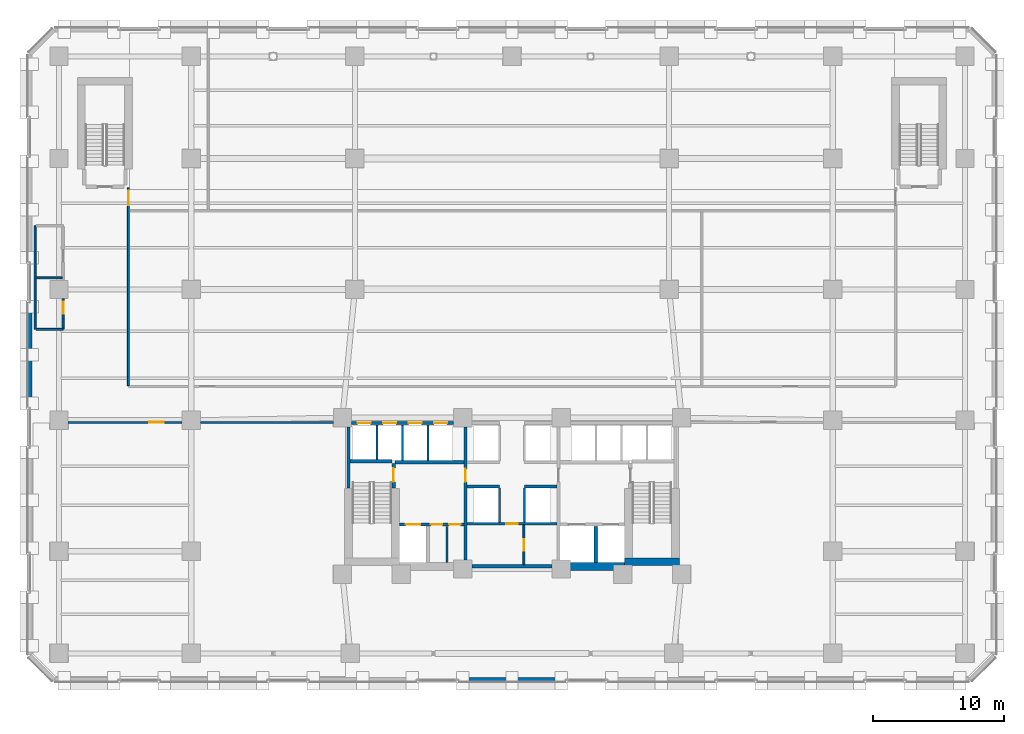
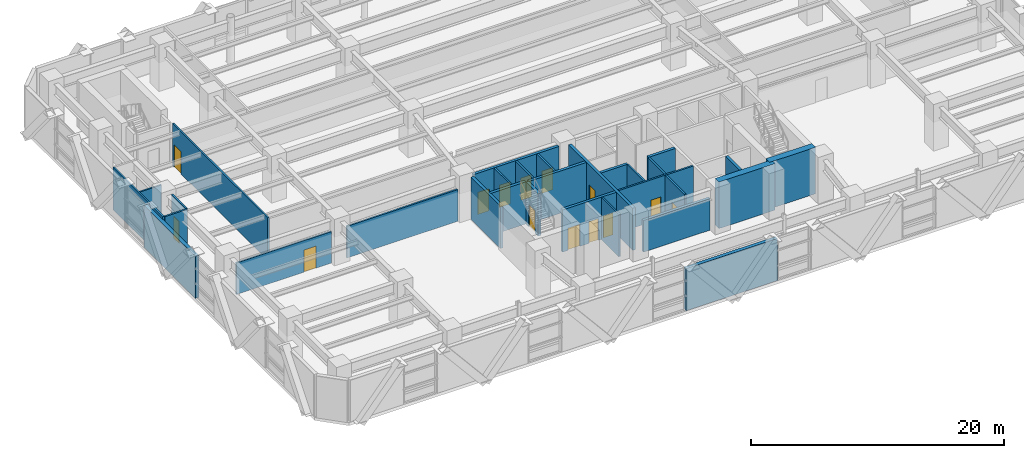
# One storey, part 14 of 26: 30 walls, 14 doors, 14 openings.
"""IFC4 building model written with IfcOpenShell, lengths in metres."""

from ifc_helpers import new_model, si_unit, direction, frame, frame_2d, origin, place, context, subcontext, project, spatial, rectangle, extrude, material, layer, layer_set, type_object, element, fill, save


model = new_model("IFC4")

# Units and contexts
model_context = context("Model", 3, precision=1e-05, world=origin(), true_north=direction((0.0, 1.0)))
body_context = subcontext(model_context, "Body", "Model", "MODEL_VIEW")
ifc_project = project(units=[si_unit("LENGTHUNIT", "METRE"), si_unit("AREAUNIT", "SQUARE_METRE"), si_unit("VOLUMEUNIT", "CUBIC_METRE"), si_unit("PLANEANGLEUNIT", "RADIAN"), si_unit("MASSUNIT", "GRAM", prefix="KILO")], contexts=[model_context])

# Site, building, storey
site_placement = place(None, origin())
site = spatial("IfcSite", under=ifc_project, at=site_placement, CompositionType="ELEMENT")
building_placement = place(site_placement, origin())
building = spatial("IfcBuilding", under=site, at=building_placement, Name="Quenlor Broadcast Tower", CompositionType="ELEMENT")
storey_placement = place(building_placement, frame((0.0, 0.0, 18.5)))
storey = spatial("IfcBuildingStorey", under=building, at=storey_placement, Name="L04", CompositionType="ELEMENT", Elevation=18.5)

# Wall, opening, door
ifc_material_1 = material(Name="Acoustic Double Stud Gypsum Partition", Category="other")
ifc_layer_1 = layer(ifc_material_1, 0.14990234375)
ifc_layer_set_1 = layer_set([ifc_layer_1], Name="Broadcast Studio Acoustic Partition 150")
wall_type_1 = type_object("IfcWallType", Name="Broadcast Studio Acoustic Partition 150", PredefinedType="PARTITIONING", material=ifc_layer_set_1)
wall_1_placement = place(storey_placement, frame((0.909912109375, -16.02001953125, 0.0), z_axis=(0.0, 0.0, 1.0), x_axis=(0.0, 1.0, 0.0)))
wall_1 = element("IfcWall", 1, at=wall_1_placement, inside=storey, type_object=wall_type_1, Name="L04 Interior Wall CW-CSV-E2", PredefinedType="PARTITIONING", context=body_context, shape_type="SweptSolid", body=[
    extrude(rectangle(XDim=3.0380859375, YDim=0.14990234375, at=frame_2d((1.51904296875, 0.0))), origin(), (0.0, 0.0, 1.0), 4.080078125),
])
opening_1_placement = place(wall_1_placement, frame((1.050048828125, 0.0, 0.0)))
opening_1 = element("IfcOpeningElement", 2, at=opening_1_placement, cuts=wall_1, Name="Opening ID-4", PredefinedType="OPENING", context=body_context, shape_type="SweptSolid", body=[
    extrude(rectangle(XDim=0.8798828125, YDim=2.1201171875, at=frame_2d((0.43994140625, 1.06005859375))), frame((0.0, 0.0849609375, 0.0), z_axis=(0.0, -1.0, 0.0), x_axis=(1.0, 0.0, 0.0)), (0.0, 0.0, 1.0), 0.169921875),
])
ifc_material_2 = material(Name="Solid Core Timber Oak", Category="wood")
door_type_1 = type_object("IfcDoorType", Name="Service Closet Timber Door 880x2120", OperationType="NOTDEFINED", PredefinedType="DOOR", material=ifc_material_2)
door_1_placement = place(opening_1_placement, origin())
door_1 = element("IfcDoor", 3, at=door_1_placement, inside=storey, type_object=door_type_1, Name="L04 Door DR-CSV2", OperationType="SINGLE_SWING_RIGHT", OverallHeight=2.1201171875, OverallWidth=0.8798828125, PredefinedType="DOOR", context=body_context, shape_type="SweptSolid", body=[
    extrude(rectangle(XDim=0.8798828125, YDim=2.1201171875, at=frame_2d((0.43994140625, 1.06005859375))), frame((0.0, 0.02490234375, 0.0), z_axis=(0.0, -1.0, 0.0), x_axis=(1.0, 0.0, 0.0)), (0.0, 0.0, 1.0), 0.050048828125),
])
fill(opening_1, door_1)

wall_2_placement = place(storey_placement, frame((-29.300048828125, -2.337890625, 0.0), z_axis=(0.0, 0.0, 1.0), x_axis=(0.0, 1.0, 0.0)))
wall_2 = element("IfcWall", 4, at=wall_2_placement, inside=storey, type_object=wall_type_1, Name="L04 Interior Wall PW-PD-LW", PredefinedType="PARTITIONING", context=body_context, shape_type="SweptSolid", body=[
    extrude(rectangle(XDim=15.087890625, YDim=0.14990234375, at=frame_2d((7.5439453125, 0.0))), origin(), (0.0, 0.0, 1.0), 4.080078125),
])
opening_2_placement = place(wall_2_placement, frame((13.758056640625, 0.0, 0.0)))
opening_2 = element("IfcOpeningElement", 5, at=opening_2_placement, cuts=wall_2, Name="Opening ID-2", PredefinedType="OPENING", context=body_context, shape_type="SweptSolid", body=[
    extrude(rectangle(XDim=1.10009765625, YDim=2.14990234375, at=frame_2d((0.550048828125, 1.074951171875))), frame((0.0, 0.0849609375, 0.0), z_axis=(0.0, -1.0, 0.0), x_axis=(1.0, 0.0, 0.0)), (0.0, 0.0, 1.0), 0.169921875),
])
ifc_material_3 = material(Name="Acoustic Laminated Timber Oak", Category="wood")
door_type_2 = type_object("IfcDoorType", Name="Wide Studio Acoustic Timber Door 1100x2150", OperationType="NOTDEFINED", PredefinedType="DOOR", material=ifc_material_3)
door_2_placement = place(opening_2_placement, origin())
door_2 = element("IfcDoor", 6, at=door_2_placement, inside=storey, type_object=door_type_2, Name="L04 Door DR-PD5", OperationType="SINGLE_SWING_LEFT", OverallHeight=2.14990234375, OverallWidth=1.10009765625, PredefinedType="DOOR", context=body_context, shape_type="SweptSolid", body=[
    extrude(rectangle(XDim=1.10009765625, YDim=2.14990234375, at=frame_2d((0.550048828125, 1.074951171875))), frame((0.0, 0.02490234375, 0.0), z_axis=(0.0, -1.0, 0.0), x_axis=(1.0, 0.0, 0.0)), (0.0, 0.0, 1.0), 0.050048828125),
])
fill(opening_2, door_2)

# Wall
wall_3_placement = place(storey_placement, frame((-36.419921875, 1.949951171875, 0.0), z_axis=(0.0, 0.0, 1.0), x_axis=(0.0, 1.0, 0.0)))
element("IfcWall", 7, at=wall_3_placement, inside=storey, type_object=wall_type_1, Name="L04 Interior Wall PW-PD-WCW", PredefinedType="PARTITIONING", context=body_context, shape_type="SweptSolid", body=[
    extrude(rectangle(XDim=7.900146484375, YDim=0.14990234375, at=frame_2d((3.9501953125, 0.0))), origin(), (0.0, 0.0, 1.0), 4.080078125),
])

# Wall, opening, door
wall_4_placement = place(storey_placement, frame((-34.280029296875, 2.010009765625, 0.0), z_axis=(0.0, 0.0, 1.0), x_axis=(0.0, 1.0, 0.0)))
wall_4 = element("IfcWall", 8, at=wall_4_placement, inside=storey, type_object=wall_type_1, Name="L04 Interior Wall PW-PD-WCE", PredefinedType="PARTITIONING", context=body_context, shape_type="SweptSolid", body=[
    extrude(rectangle(XDim=2.2880859375, YDim=0.14990234375, at=frame_2d((1.14404296875, 0.0))), origin(), (0.0, 0.0, 1.0), 4.080078125),
])
opening_3_placement = place(wall_4_placement, frame((1.139892578125, 0.0, 0.0)))
opening_3 = element("IfcOpeningElement", 9, at=opening_3_placement, cuts=wall_4, Name="Opening ID-3", PredefinedType="OPENING", context=body_context, shape_type="SweptSolid", body=[
    extrude(rectangle(XDim=0.89990234375, YDim=2.1201171875, at=frame_2d((0.449951171875, 1.06005859375))), frame((0.0, 0.0849609375, 0.0), z_axis=(0.0, -1.0, 0.0), x_axis=(1.0, 0.0, 0.0)), (0.0, 0.0, 1.0), 0.169921875),
])
ifc_material_4 = material(Name="Moisture Resistant Timber Oak", Category="wood")
door_type_3 = type_object("IfcDoorType", Name="Washroom Privacy Door 900x2120", OperationType="NOTDEFINED", PredefinedType="DOOR", material=ifc_material_4)
door_3_placement = place(opening_3_placement, origin())
door_3 = element("IfcDoor", 10, at=door_3_placement, inside=storey, type_object=door_type_3, Name="L04 Door DR-PD-MWC", OperationType="SINGLE_SWING_LEFT", OverallHeight=2.1201171875, OverallWidth=0.89990234375, PredefinedType="DOOR", context=body_context, shape_type="SweptSolid", body=[
    extrude(rectangle(XDim=0.89990234375, YDim=2.1201171875, at=frame_2d((0.449951171875, 1.06005859375))), frame((0.0, 0.02490234375, 0.0), z_axis=(0.0, -1.0, 0.0), x_axis=(1.0, 0.0, 0.0)), (0.0, 0.0, 1.0), 0.050048828125),
])
fill(opening_3, door_3)

# Walls
wall_5_placement = place(storey_placement, frame((-36.343017578125, 5.8798828125, 0.0), z_axis=(0.0, 0.0, 1.0), x_axis=(1.0, 0.0, 0.0)))
element("IfcWall", 11, at=wall_5_placement, inside=storey, type_object=wall_type_1, Name="L04 Interior Wall PW-PD-WCM", PredefinedType="PARTITIONING", context=body_context, shape_type="SweptSolid", body=[
    extrude(rectangle(XDim=1.986083984375, YDim=0.14990234375, at=frame_2d((0.9931640625, 0.0))), origin(), (0.0, 0.0, 1.0), 4.080078125),
])
wall_6_placement = place(storey_placement, frame((-36.343017578125, 1.949951171875, 0.0), z_axis=(0.0, 0.0, 1.0), x_axis=(1.0, 0.0, 0.0)))
element("IfcWall", 12, at=wall_6_placement, inside=storey, type_object=wall_type_1, Name="L04 Interior Wall PW-PD-WCS", PredefinedType="PARTITIONING", context=body_context, shape_type="SweptSolid", body=[
    extrude(rectangle(XDim=2.06298828125, YDim=0.14990234375, at=frame_2d((1.031494140625, 0.0))), origin(), (0.0, 0.0, 1.0), 4.080078125),
])
ifc_material_5 = material(Name="Concrete C65/80", Category="concrete")
ifc_layer_2 = layer(ifc_material_5, 0.60009765625)
ifc_layer_set_2 = layer_set([ifc_layer_2], Name="Core Concrete C65/80 Shear Wall 600")
wall_type_2 = type_object("IfcWallType", Name="Core Concrete C65/80 Shear Wall 600", PredefinedType="SHEAR", material=ifc_layer_set_2)
wall_7_placement = place(storey_placement, frame((3.75, -16.14990234375, 0.0), z_axis=(0.0, 0.0, 1.0), x_axis=(1.0, 0.0, 0.0)))
element("IfcWall", 13, at=wall_7_placement, inside=storey, type_object=wall_type_2, Name="L04 Core Shear Wall WS-E1", PredefinedType="SHEAR", context=body_context, shape_type="SweptSolid", body=[
    extrude(rectangle(XDim=5.14990234375, YDim=0.60009765625, at=frame_2d((2.574951171875, 0.0))), origin(), (0.0, 0.0, 1.0), 4.5),
])
wall_8_placement = place(storey_placement, frame((8.60009765625, -15.800048828125, 0.0), z_axis=(0.0, 0.0, 1.0), x_axis=(1.0, 0.0, 0.0)))
element("IfcWall", 14, at=wall_8_placement, inside=storey, type_object=wall_type_2, Name="L04 Core Shear Wall WS-E2", PredefinedType="SHEAR", context=body_context, shape_type="SweptSolid", body=[
    extrude(rectangle(XDim=4.199951171875, YDim=0.60009765625, at=frame_2d((2.10009765625, 0.0))), origin(), (0.0, 0.0, 1.0), 4.5),
])

# Wall, opening, door
ifc_material_6 = material(Name="Concrete C40/50", Category="concrete")
ifc_layer_3 = layer(ifc_material_6, 0.25)
ifc_layer_set_3 = layer_set([ifc_layer_3], Name="Fire Rated Concrete C40/50 Core Wall 250")
wall_type_3 = type_object("IfcWallType", Name="Fire Rated Concrete C40/50 Core Wall 250", PredefinedType="PARTITIONING", material=ifc_layer_set_3)
wall_9_placement = place(storey_placement, frame((-9.0400390625, -10.179931640625, 0.0), z_axis=(0.0, 0.0, 1.0), x_axis=(0.0, 1.0, 0.0)))
wall_9 = element("IfcWall", 15, at=wall_9_placement, inside=storey, type_object=wall_type_3, Name="L04 Interior Wall CW-ST1-DR", PredefinedType="PARTITIONING", context=body_context, shape_type="SweptSolid", body=[
    extrude(rectangle(XDim=1.89990234375, YDim=0.25, at=frame_2d((0.949951171875, 0.0))), origin(), (0.0, 0.0, 1.0), 4.080078125),
])
opening_4_placement = place(wall_9_placement, frame((0.47998046875, 0.0, 0.0)))
opening_4 = element("IfcOpeningElement", 16, at=opening_4_placement, cuts=wall_9, Name="Opening FD-1", PredefinedType="OPENING", context=body_context, shape_type="SweptSolid", body=[
    extrude(rectangle(XDim=1.050048828125, YDim=2.14990234375, at=frame_2d((0.52490234375, 1.074951171875))), frame((0.0, 0.135009765625, 0.0), z_axis=(0.0, -1.0, 0.0), x_axis=(1.0, 0.0, 0.0)), (0.0, 0.0, 1.0), 0.27001953125),
])
ifc_material_7 = material(Name="Fire Rated Steel Door Leaf", Category="steel")
door_type_4 = type_object("IfcDoorType", Name="Fire Isolated Stair Door 1050x2150", OperationType="NOTDEFINED", PredefinedType="DOOR", material=ifc_material_7)
door_4_placement = place(opening_4_placement, origin())
door_4 = element("IfcDoor", 17, at=door_4_placement, inside=storey, type_object=door_type_4, Name="L04 Door DR-ST1", OperationType="SINGLE_SWING_LEFT", OverallHeight=2.14990234375, OverallWidth=1.050048828125, PredefinedType="DOOR", context=body_context, shape_type="SweptSolid", body=[
    extrude(rectangle(XDim=1.050048828125, YDim=2.14990234375, at=frame_2d((0.52490234375, 1.074951171875))), frame((0.0, 0.02490234375, 0.0), z_axis=(0.0, -1.0, 0.0), x_axis=(1.0, 0.0, 0.0)), (0.0, 0.0, 1.0), 0.050048828125),
])
fill(opening_4, door_4)

# Walls
wall_10_placement = place(storey_placement, frame((-12.3798828125, -8.1201171875, 0.0), z_axis=(0.0, 0.0, 1.0), x_axis=(1.0, 0.0, 0.0)))
element("IfcWall", 18, at=wall_10_placement, inside=storey, type_object=wall_type_3, Name="L04 Interior Wall CW-ST1-N", PredefinedType="PARTITIONING", context=body_context, shape_type="SweptSolid", body=[
    extrude(rectangle(XDim=3.219970703125, YDim=0.25, at=frame_2d((1.60986328125, 0.0))), origin(), (0.0, 0.0, 1.0), 4.080078125),
])
wall_11_placement = place(storey_placement, frame((-12.47998046875, -10.179931640625, 0.0), z_axis=(0.0, 0.0, 1.0), x_axis=(0.0, 1.0, 0.0)))
element("IfcWall", 19, at=wall_11_placement, inside=storey, type_object=wall_type_3, Name="L04 Interior Wall CW-ST1-W2", PredefinedType="PARTITIONING", context=body_context, shape_type="SweptSolid", body=[
    extrude(rectangle(XDim=4.677978515625, YDim=0.25, at=frame_2d((2.3388671875, 0.0))), origin(), (0.0, 0.0, 1.0), 4.080078125),
])

# Wall, openings, doors
wall_12_placement = place(storey_placement, frame((-8.597900390625, -12.949951171875, 0.0), z_axis=(0.0, 0.0, 1.0), x_axis=(1.0, 0.0, 0.0)))
wall_12 = element("IfcWall", 20, at=wall_12_placement, inside=storey, type_object=wall_type_3, Name="L04 Interior Wall CW-FFW-S", PredefinedType="PARTITIONING", context=body_context, shape_type="SweptSolid", body=[
    extrude(rectangle(XDim=4.91796875, YDim=0.25, at=frame_2d((2.458984375, 0.0))), origin(), (0.0, 0.0, 1.0), 4.080078125),
])
opening_5_placement = place(wall_12_placement, frame((0.498046875, 0.0, 0.0)))
opening_5 = element("IfcOpeningElement", 21, at=opening_5_placement, cuts=wall_12, Name="Opening LD-FFL-1", PredefinedType="OPENING", context=body_context, shape_type="SweptSolid", body=[
    extrude(rectangle(XDim=1.10009765625, YDim=2.14990234375, at=frame_2d((0.550048828125, 1.074951171875))), frame((0.0, 0.135009765625, 0.0), z_axis=(0.0, -1.0, 0.0), x_axis=(1.0, 0.0, 0.0)), (0.0, 0.0, 1.0), 0.27001953125),
])
opening_6_placement = place(wall_12_placement, frame((2.39794921875, 0.0, 0.0)))
opening_6 = element("IfcOpeningElement", 22, at=opening_6_placement, cuts=wall_12, Name="Opening TD-1", PredefinedType="OPENING", context=body_context, shape_type="SweptSolid", body=[
    extrude(rectangle(XDim=0.8798828125, YDim=2.10009765625, at=frame_2d((0.43994140625, 1.050048828125))), frame((0.0, 0.135009765625, 0.0), z_axis=(0.0, -1.0, 0.0), x_axis=(1.0, 0.0, 0.0)), (0.0, 0.0, 1.0), 0.27001953125),
])
opening_7_placement = place(wall_12_placement, frame((3.798095703125, 0.0, 0.0)))
opening_7 = element("IfcOpeningElement", 23, at=opening_7_placement, cuts=wall_12, Name="Opening TD-1", PredefinedType="OPENING", context=body_context, shape_type="SweptSolid", body=[
    extrude(rectangle(XDim=0.8798828125, YDim=2.10009765625, at=frame_2d((0.43994140625, 1.050048828125))), frame((0.0, 0.135009765625, 0.0), z_axis=(0.0, -1.0, 0.0), x_axis=(1.0, 0.0, 0.0)), (0.0, 0.0, 1.0), 0.27001953125),
])
ifc_material_8 = material(Name="Brushed Stainless Steel", Category="steel")
door_type_5 = type_object("IfcDoorType", Name="Emergency Lift Sliding Landing Door 1100x2150", OperationType="NOTDEFINED", PredefinedType="DOOR", material=ifc_material_8)
door_5_placement = place(opening_5_placement, origin())
door_5 = element("IfcDoor", 24, at=door_5_placement, inside=storey, type_object=door_type_5, Name="L04 Door LD-FFL-1", OperationType="SLIDING_TO_LEFT", OverallHeight=2.14990234375, OverallWidth=1.10009765625, PredefinedType="DOOR", context=body_context, shape_type="SweptSolid", body=[
    extrude(rectangle(XDim=1.10009765625, YDim=2.14990234375, at=frame_2d((0.550048828125, 1.074951171875))), frame((0.0, 0.02490234375, 0.0), z_axis=(0.0, -1.0, 0.0), x_axis=(1.0, 0.0, 0.0)), (0.0, 0.0, 1.0), 0.050048828125),
])
fill(opening_5, door_5)
ifc_material_9 = material(Name="Fire Rated Steel Access Panel", Category="steel")
door_type_6 = type_object("IfcDoorType", Name="Riser Shaft Rated Access Trapdoor 880x2100", OperationType="NOTDEFINED", PredefinedType="TRAPDOOR", material=ifc_material_9)
door_6_placement = place(opening_6_placement, origin())
door_6 = element("IfcDoor", 25, at=door_6_placement, inside=storey, type_object=door_type_6, Name="L04 Door DR-ELR", OperationType="SINGLE_SWING_LEFT", OverallHeight=2.10009765625, OverallWidth=0.8798828125, PredefinedType="TRAPDOOR", context=body_context, shape_type="SweptSolid", body=[
    extrude(rectangle(XDim=0.8798828125, YDim=2.10009765625, at=frame_2d((0.43994140625, 1.050048828125))), frame((0.0, 0.02490234375, 0.0), z_axis=(0.0, -1.0, 0.0), x_axis=(1.0, 0.0, 0.0)), (0.0, 0.0, 1.0), 0.050048828125),
])
fill(opening_6, door_6)
door_7_placement = place(opening_7_placement, origin())
door_7 = element("IfcDoor", 26, at=door_7_placement, inside=storey, type_object=door_type_6, Name="L04 Door DR-CMR", OperationType="SINGLE_SWING_RIGHT", OverallHeight=2.10009765625, OverallWidth=0.8798828125, PredefinedType="TRAPDOOR", context=body_context, shape_type="SweptSolid", body=[
    extrude(rectangle(XDim=0.8798828125, YDim=2.10009765625, at=frame_2d((0.43994140625, 1.050048828125))), frame((0.0, 0.02490234375, 0.0), z_axis=(0.0, -1.0, 0.0), x_axis=(1.0, 0.0, 0.0)), (0.0, 0.0, 1.0), 0.050048828125),
])
fill(opening_7, door_7)

# Walls
wall_13_placement = place(storey_placement, frame((6.39990234375, -15.847900390625, 0.0), z_axis=(0.0, 0.0, 1.0), x_axis=(0.0, 1.0, 0.0)))
element("IfcWall", 27, at=wall_13_placement, inside=storey, type_object=wall_type_3, Name="L04 Interior Wall CW-SV1-E", PredefinedType="PARTITIONING", context=body_context, shape_type="SweptSolid", body=[
    extrude(rectangle(XDim=2.7578125, YDim=0.25, at=frame_2d((1.37890625, 0.0))), origin(), (0.0, 0.0, 1.0), 4.080078125),
])
wall_14_placement = place(storey_placement, frame((-8.919921875, -8.199951171875, 0.0), z_axis=(0.0, 0.0, 1.0), x_axis=(1.0, 0.0, 0.0)))
element("IfcWall", 28, at=wall_14_placement, inside=storey, type_object=wall_type_3, Name="L04 Interior Wall CW-FFW-N", PredefinedType="PARTITIONING", context=body_context, shape_type="SweptSolid", body=[
    extrude(rectangle(XDim=5.239990234375, YDim=0.25, at=frame_2d((2.6201171875, 0.0))), origin(), (0.0, 0.0, 1.0), 4.080078125),
])

# Wall, opening, door
wall_15_placement = place(storey_placement, frame((-3.550048828125, -15.64794921875, 0.0), z_axis=(0.0, 0.0, 1.0), x_axis=(0.0, 1.0, 0.0)))
wall_15 = element("IfcWall", 29, at=wall_15_placement, inside=storey, type_object=wall_type_3, Name="L04 Interior Wall CW-FFW-E", PredefinedType="PARTITIONING", context=body_context, shape_type="SweptSolid", body=[
    extrude(rectangle(XDim=10.14599609375, YDim=0.25, at=frame_2d((5.072998046875, 0.0))), origin(), (0.0, 0.0, 1.0), 4.080078125),
])
opening_8_placement = place(wall_15_placement, frame((5.947998046875, 0.0, 0.0)))
opening_8 = element("IfcOpeningElement", 30, at=opening_8_placement, cuts=wall_15, Name="Opening FD-2", PredefinedType="OPENING", context=body_context, shape_type="SweptSolid", body=[
    extrude(rectangle(XDim=1.0, YDim=2.14990234375, at=frame_2d((0.5, 1.074951171875))), frame((0.0, 0.135009765625, 0.0), z_axis=(0.0, -1.0, 0.0), x_axis=(1.0, 0.0, 0.0)), (0.0, 0.0, 1.0), 0.27001953125),
])
ifc_material_10 = material(Name="Fire Rated Glazed Steel Door", Category="steel")
door_type_7 = type_object("IfcDoorType", Name="Firefighting Lobby Smoke Door 1000x2150", OperationType="NOTDEFINED", PredefinedType="DOOR", material=ifc_material_10)
door_8_placement = place(opening_8_placement, origin())
door_8 = element("IfcDoor", 31, at=door_8_placement, inside=storey, type_object=door_type_7, Name="L04 Door DR-FFLW", OperationType="SINGLE_SWING_RIGHT", OverallHeight=2.14990234375, OverallWidth=1.0, PredefinedType="DOOR", context=body_context, shape_type="SweptSolid", body=[
    extrude(rectangle(XDim=1.0, YDim=2.14990234375, at=frame_2d((0.5, 1.074951171875))), frame((0.0, 0.02490234375, 0.0), z_axis=(0.0, -1.0, 0.0), x_axis=(1.0, 0.0, 0.0)), (0.0, 0.0, 1.0), 0.050048828125),
])
fill(opening_8, door_8)

# Wall, openings, doors
wall_16_placement = place(storey_placement, frame((-12.248046875, -5.199951171875, 0.0), z_axis=(0.0, 0.0, 1.0), x_axis=(1.0, 0.0, 0.0)))
wall_16 = element("IfcWall", 32, at=wall_16_placement, inside=storey, type_object=wall_type_3, Name="L04 Interior Wall CW-N-W", PredefinedType="PARTITIONING", context=body_context, shape_type="SweptSolid", body=[
    extrude(rectangle(XDim=7.796142578125, YDim=0.25, at=frame_2d((3.89794921875, 0.0))), origin(), (0.0, 0.0, 1.0), 4.080078125),
])
opening_9_placement = place(wall_16_placement, frame((0.447998046875, 0.0, 0.0)))
opening_9 = element("IfcOpeningElement", 33, at=opening_9_placement, cuts=wall_16, Name="Opening LD-PL-L1", PredefinedType="OPENING", context=body_context, shape_type="SweptSolid", body=[
    extrude(rectangle(XDim=1.0, YDim=2.14990234375, at=frame_2d((0.5, 1.074951171875))), frame((0.0, 0.135009765625, 0.0), z_axis=(0.0, -1.0, 0.0), x_axis=(1.0, 0.0, 0.0)), (0.0, 0.0, 1.0), 0.27001953125),
])
opening_10_placement = place(wall_16_placement, frame((2.39794921875, 0.0, 0.0)))
opening_10 = element("IfcOpeningElement", 34, at=opening_10_placement, cuts=wall_16, Name="Opening LD-PL-L2", PredefinedType="OPENING", context=body_context, shape_type="SweptSolid", body=[
    extrude(rectangle(XDim=1.0, YDim=2.14990234375, at=frame_2d((0.5, 1.074951171875))), frame((0.0, 0.135009765625, 0.0), z_axis=(0.0, -1.0, 0.0), x_axis=(1.0, 0.0, 0.0)), (0.0, 0.0, 1.0), 0.27001953125),
])
opening_11_placement = place(wall_16_placement, frame((4.347900390625, 0.0, 0.0)))
opening_11 = element("IfcOpeningElement", 35, at=opening_11_placement, cuts=wall_16, Name="Opening LD-PL-L3", PredefinedType="OPENING", context=body_context, shape_type="SweptSolid", body=[
    extrude(rectangle(XDim=1.0, YDim=2.14990234375, at=frame_2d((0.5, 1.074951171875))), frame((0.0, 0.135009765625, 0.0), z_axis=(0.0, -1.0, 0.0), x_axis=(1.0, 0.0, 0.0)), (0.0, 0.0, 1.0), 0.27001953125),
])
opening_12_placement = place(wall_16_placement, frame((6.298095703125, 0.0, 0.0)))
opening_12 = element("IfcOpeningElement", 36, at=opening_12_placement, cuts=wall_16, Name="Opening LD-PL-L4", PredefinedType="OPENING", context=body_context, shape_type="SweptSolid", body=[
    extrude(rectangle(XDim=1.0, YDim=2.14990234375, at=frame_2d((0.5, 1.074951171875))), frame((0.0, 0.135009765625, 0.0), z_axis=(0.0, -1.0, 0.0), x_axis=(1.0, 0.0, 0.0)), (0.0, 0.0, 1.0), 0.27001953125),
])
ifc_material_11 = material(Name="Brushed Stainless Steel", Category="steel")
door_type_8 = type_object("IfcDoorType", Name="Passenger Lift Sliding Landing Door 1000x2150", OperationType="NOTDEFINED", PredefinedType="DOOR", material=ifc_material_11)
door_9_placement = place(opening_9_placement, origin())
door_9 = element("IfcDoor", 37, at=door_9_placement, inside=storey, type_object=door_type_8, Name="L04 Door LD-PL-L1", OperationType="SLIDING_TO_LEFT", OverallHeight=2.14990234375, OverallWidth=1.0, PredefinedType="DOOR", context=body_context, shape_type="SweptSolid", body=[
    extrude(rectangle(XDim=1.0, YDim=2.14990234375, at=frame_2d((0.5, 1.074951171875))), frame((0.0, 0.02490234375, 0.0), z_axis=(0.0, -1.0, 0.0), x_axis=(1.0, 0.0, 0.0)), (0.0, 0.0, 1.0), 0.050048828125),
])
fill(opening_9, door_9)
door_10_placement = place(opening_10_placement, origin())
door_10 = element("IfcDoor", 38, at=door_10_placement, inside=storey, type_object=door_type_8, Name="L04 Door LD-PL-L2", OperationType="SLIDING_TO_LEFT", OverallHeight=2.14990234375, OverallWidth=1.0, PredefinedType="DOOR", context=body_context, shape_type="SweptSolid", body=[
    extrude(rectangle(XDim=1.0, YDim=2.14990234375, at=frame_2d((0.5, 1.074951171875))), frame((0.0, 0.02490234375, 0.0), z_axis=(0.0, -1.0, 0.0), x_axis=(1.0, 0.0, 0.0)), (0.0, 0.0, 1.0), 0.050048828125),
])
fill(opening_10, door_10)
door_11_placement = place(opening_11_placement, origin())
door_11 = element("IfcDoor", 39, at=door_11_placement, inside=storey, type_object=door_type_8, Name="L04 Door LD-PL-L3", OperationType="SLIDING_TO_LEFT", OverallHeight=2.14990234375, OverallWidth=1.0, PredefinedType="DOOR", context=body_context, shape_type="SweptSolid", body=[
    extrude(rectangle(XDim=1.0, YDim=2.14990234375, at=frame_2d((0.5, 1.074951171875))), frame((0.0, 0.02490234375, 0.0), z_axis=(0.0, -1.0, 0.0), x_axis=(1.0, 0.0, 0.0)), (0.0, 0.0, 1.0), 0.050048828125),
])
fill(opening_11, door_11)
door_12_placement = place(opening_12_placement, origin())
door_12 = element("IfcDoor", 40, at=door_12_placement, inside=storey, type_object=door_type_8, Name="L04 Door LD-PL-L4", OperationType="SLIDING_TO_LEFT", OverallHeight=2.14990234375, OverallWidth=1.0, PredefinedType="DOOR", context=body_context, shape_type="SweptSolid", body=[
    extrude(rectangle(XDim=1.0, YDim=2.14990234375, at=frame_2d((0.5, 1.074951171875))), frame((0.0, 0.02490234375, 0.0), z_axis=(0.0, -1.0, 0.0), x_axis=(1.0, 0.0, 0.0)), (0.0, 0.0, 1.0), 0.050048828125),
])
fill(opening_12, door_12)

# Walls
wall_17_placement = place(storey_placement, frame((-3.048095703125, -16.14990234375, 0.0), z_axis=(0.0, 0.0, 1.0), x_axis=(1.0, 0.0, 0.0)))
element("IfcWall", 41, at=wall_17_placement, inside=storey, type_object=wall_type_3, Name="L04 Interior Wall CW-MS-S", PredefinedType="PARTITIONING", context=body_context, shape_type="SweptSolid", body=[
    extrude(rectangle(XDim=6.09619140625, YDim=0.25, at=frame_2d((3.048095703125, 0.0))), origin(), (0.0, 0.0, 1.0), 3.055908203125),
])
for number, where, z_axis, x_axis, name in (
    (42, (-3.419921875, -10.050048828125, 0.0), (0.0, 0.0, 1.0), (1.0, 0.0, 0.0), "L04 Interior Wall CW-MS-N1"),
    (43, (0.949951171875, -10.050048828125, 0.0), (0.0, 0.0, 1.0), (1.0, 0.0, 0.0), "L04 Interior Wall CW-MS-N2"),
):
    element("IfcWall", number, at=place(storey_placement, frame(where, z_axis=z_axis, x_axis=x_axis)), inside=storey, type_object=wall_type_3, Name=name, PredefinedType="PARTITIONING", context=body_context, shape_type="SweptSolid", body=[
        extrude(rectangle(XDim=2.469970703125, YDim=0.25, at=frame_2d((1.23486328125, 0.0))), origin(), (0.0, 0.0, 1.0), 4.080078125),
    ])
ifc_material_12 = material(Name="Gypsum Fireboard Partition", Category="other")
ifc_layer_4 = layer(ifc_material_12, 0.159912109375)
ifc_layer_set_4 = layer_set([ifc_layer_4], Name="Fire Rated Shaft and Corridor Partition 160")
wall_type_4 = type_object("IfcWallType", Name="Fire Rated Shaft and Corridor Partition 160", PredefinedType="PARTITIONING", material=ifc_layer_set_4)
wall_18_placement = place(storey_placement, frame((-4.97998046875, -15.847900390625, 0.0), z_axis=(0.0, 0.0, 1.0), x_axis=(0.0, 1.0, 0.0)))
element("IfcWall", 44, at=wall_18_placement, inside=storey, type_object=wall_type_4, Name="L04 Interior Wall CW-ELR-E", PredefinedType="PARTITIONING", context=body_context, shape_type="SweptSolid", body=[
    extrude(rectangle(XDim=2.7578125, YDim=0.159912109375, at=frame_2d((1.37890625, 0.0))), origin(), (0.0, 0.0, 1.0), 4.080078125),
])
wall_19_placement = place(storey_placement, frame((-10.324951171875, -7.992919921875, 0.0), z_axis=(0.0, 0.0, 1.0), x_axis=(0.0, 1.0, 0.0)))
element("IfcWall", 45, at=wall_19_placement, inside=storey, type_object=wall_type_4, Name="L04 Interior Wall CW-PLL-D1", PredefinedType="PARTITIONING", context=body_context, shape_type="SweptSolid", body=[
    extrude(rectangle(XDim=2.65283203125, YDim=0.159912109375, at=frame_2d((1.326416015625, 0.0))), origin(), (0.0, 0.0, 1.0), 4.080078125),
])
for number, where, z_axis, x_axis, name in (
    (46, (-8.375, -8.072998046875, 0.0), (0.0, 0.0, 1.0), (0.0, 1.0, 0.0), "L04 Interior Wall CW-PLL-D2"),
    (47, (-6.425048828125, -8.072998046875, 0.0), (0.0, 0.0, 1.0), (0.0, 1.0, 0.0), "L04 Interior Wall CW-PLL-D3"),
):
    element("IfcWall", number, at=place(storey_placement, frame(where, z_axis=z_axis, x_axis=x_axis)), inside=storey, type_object=wall_type_4, Name=name, PredefinedType="PARTITIONING", context=body_context, shape_type="SweptSolid", body=[
        extrude(rectangle(XDim=2.73291015625, YDim=0.159912109375, at=frame_2d((1.366455078125, 0.0))), origin(), (0.0, 0.0, 1.0), 4.080078125),
    ])

# Wall, opening, door
wall_20_placement = place(storey_placement, frame((-3.419921875, -12.89990234375, 0.0), z_axis=(0.0, 0.0, 1.0), x_axis=(1.0, 0.0, 0.0)))
wall_20 = element("IfcWall", 48, at=wall_20_placement, inside=storey, type_object=wall_type_4, Name="L04 Interior Wall CW-MS-B", PredefinedType="PARTITIONING", context=body_context, shape_type="SweptSolid", body=[
    extrude(rectangle(XDim=6.83984375, YDim=0.159912109375, at=frame_2d((3.419921875, 0.0))), origin(), (0.0, 0.0, 1.0), 4.080078125),
])
opening_13_placement = place(wall_20_placement, frame((2.97998046875, 0.0, 0.0)))
opening_13 = element("IfcOpeningElement", 49, at=opening_13_placement, cuts=wall_20, Name="Opening ID-4", PredefinedType="OPENING", context=body_context, shape_type="SweptSolid", body=[
    extrude(rectangle(XDim=0.8798828125, YDim=2.1201171875, at=frame_2d((0.43994140625, 1.06005859375))), frame((0.0, 0.08984375, 0.0), z_axis=(0.0, -1.0, 0.0), x_axis=(1.0, 0.0, 0.0)), (0.0, 0.0, 1.0), 0.179931640625),
])
door_13_placement = place(opening_13_placement, origin())
door_13 = element("IfcDoor", 50, at=door_13_placement, inside=storey, type_object=door_type_1, Name="L04 Door DR-CSV0", OperationType="SINGLE_SWING_LEFT", OverallHeight=2.1201171875, OverallWidth=0.8798828125, PredefinedType="DOOR", context=body_context, shape_type="SweptSolid", body=[
    extrude(rectangle(XDim=0.8798828125, YDim=2.1201171875, at=frame_2d((0.43994140625, 1.06005859375))), frame((0.0, 0.02490234375, 0.0), z_axis=(0.0, -1.0, 0.0), x_axis=(1.0, 0.0, 0.0)), (0.0, 0.0, 1.0), 0.050048828125),
])
fill(opening_13, door_13)

# Walls
for number, where, z_axis, x_axis, name in (
    (51, (-0.949951171875, -12.818115234375, 0.0), (0.0, 0.0, 1.0), (0.0, 1.0, 0.0), "L04 Interior Wall CW-MS-W"),
    (52, (0.949951171875, -12.818115234375, 0.0), (0.0, 0.0, 1.0), (0.0, 1.0, 0.0), "L04 Interior Wall CW-MS-E"),
):
    element("IfcWall", number, at=place(storey_placement, frame(where, z_axis=z_axis, x_axis=x_axis)), inside=storey, type_object=wall_type_4, Name=name, PredefinedType="PARTITIONING", context=body_context, shape_type="SweptSolid", body=[
        extrude(rectangle(XDim=2.63818359375, YDim=0.159912109375, at=frame_2d((1.319091796875, 0.0))), origin(), (0.0, 0.0, 1.0), 4.080078125),
    ])

# Wall, opening, door
wall_21_placement = place(storey_placement, frame((-33.89794921875, -5.14990234375, 0.0), z_axis=(0.0, 0.0, 1.0), x_axis=(1.0, 0.0, 0.0)))
wall_21 = element("IfcWall", 53, at=wall_21_placement, inside=storey, type_object=wall_type_4, Name="L04 Interior Wall PW-PD-CSW", PredefinedType="PARTITIONING", context=body_context, shape_type="SweptSolid", body=[
    extrude(rectangle(XDim=8.696044921875, YDim=0.159912109375, at=frame_2d((4.34814453125, 0.0))), origin(), (0.0, 0.0, 1.0), 3.055908203125),
])
opening_14_placement = place(wall_21_placement, frame((6.197998046875, 0.0, 0.0)))
opening_14 = element("IfcOpeningElement", 54, at=opening_14_placement, cuts=wall_21, Name="Opening ID-2", PredefinedType="OPENING", context=body_context, shape_type="SweptSolid", body=[
    extrude(rectangle(XDim=1.10009765625, YDim=2.14990234375, at=frame_2d((0.550048828125, 1.074951171875))), frame((0.0, 0.08984375, 0.0), z_axis=(0.0, -1.0, 0.0), x_axis=(1.0, 0.0, 0.0)), (0.0, 0.0, 1.0), 0.179931640625),
])
door_14_placement = place(opening_14_placement, origin())
door_14 = element("IfcDoor", 55, at=door_14_placement, inside=storey, type_object=door_type_2, Name="L04 Door DR-PD1", OperationType="SINGLE_SWING_LEFT", OverallHeight=2.14990234375, OverallWidth=1.10009765625, PredefinedType="DOOR", context=body_context, shape_type="SweptSolid", body=[
    extrude(rectangle(XDim=1.10009765625, YDim=2.14990234375, at=frame_2d((0.550048828125, 1.074951171875))), frame((0.0, 0.02490234375, 0.0), z_axis=(0.0, -1.0, 0.0), x_axis=(1.0, 0.0, 0.0)), (0.0, 0.0, 1.0), 0.050048828125),
])
fill(opening_14, door_14)

# Walls
wall_22_placement = place(storey_placement, frame((-23.798095703125, -5.14990234375, 0.0), z_axis=(0.0, 0.0, 1.0), x_axis=(1.0, 0.0, 0.0)))
element("IfcWall", 56, at=wall_22_placement, inside=storey, type_object=wall_type_4, Name="L04 Interior Wall PW-PD-CSWS2", PredefinedType="PARTITIONING", context=body_context, shape_type="SweptSolid", body=[
    extrude(rectangle(XDim=10.14599609375, YDim=0.159912109375, at=frame_2d((5.072998046875, 0.0))), origin(), (0.0, 0.0, 1.0), 3.055908203125),
])
ifc_material_13 = material(Name="Precast concrete C40/50", Category="concrete")
ifc_layer_5 = layer(ifc_material_13, 0.320068359375)
ifc_layer_set_5 = layer_set([ifc_layer_5], Name="Station Podium Precast Concrete C40/50 Facade Wall 320")
wall_type_5 = type_object("IfcWallType", Name="Station Podium Precast Concrete C40/50 Facade Wall 320", PredefinedType="STANDARD", material=ifc_layer_set_5)
wall_23_placement = place(storey_placement, frame((4.1650390625, -24.820068359375, 0.0), z_axis=(0.0, 0.0, 1.0), x_axis=(-1.0, 0.0, 0.0)))
element("IfcWall", 57, at=wall_23_placement, inside=storey, type_object=wall_type_5, Name="L04 Exterior Wall L04-S-FULL-SP4", PredefinedType="STANDARD", context=body_context, shape_type="SweptSolid", body=[
    extrude(rectangle(XDim=8.330078125, YDim=0.320068359375, at=frame_2d((4.1650390625, 0.0))), origin(), (0.0, 0.0, 1.0), 4.080078125),
])
wall_24_placement = place(storey_placement, frame((-36.820068359375, -4.0654296875, 0.0), z_axis=(0.0, 0.0, 1.0), x_axis=(0.0, 1.0, 0.0)))
element("IfcWall", 58, at=wall_24_placement, inside=storey, type_object=wall_type_5, Name="L04 Exterior Wall L04-W-FULL-SP3", PredefinedType="STANDARD", context=body_context, shape_type="SweptSolid", body=[
    extrude(rectangle(XDim=8.130859375, YDim=0.320068359375, at=frame_2d((4.0654296875, 0.0))), origin(), (0.0, 0.0, 1.0), 4.080078125),
])

save(model, "model.ifc")
